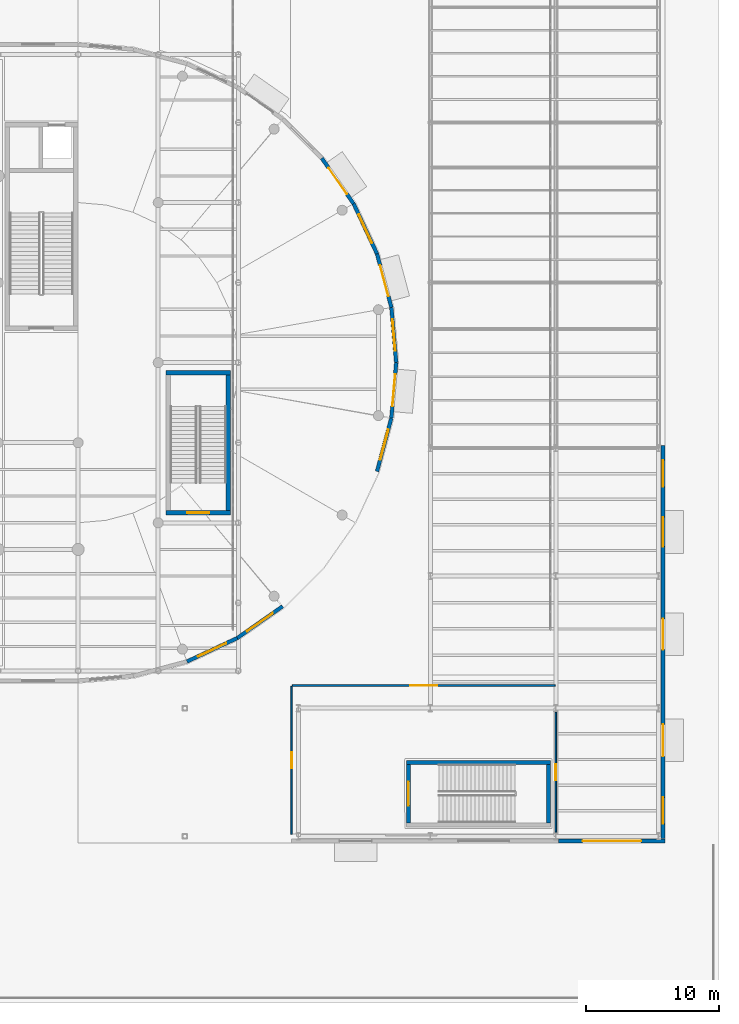
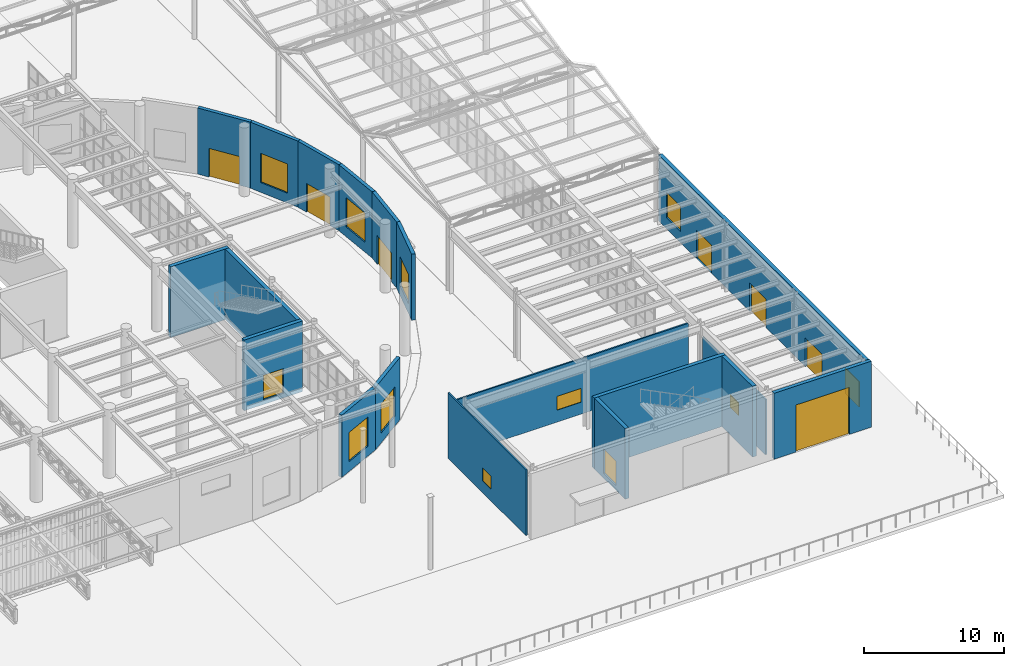
# One storey, part 95 of 118: 19 walls, 10 windows, 9 doors, 19 openings.
"""IFC4 building model written with IfcOpenShell, lengths in metres."""

from ifc_helpers import new_model, si_unit, direction, frame, frame_2d, origin, place, context, subcontext, project, spatial, rectangle, extrude, material, layer, layer_set, type_object, element, fill, save


model = new_model("IFC4")

# Units and contexts
model_context = context("Model", 3, precision=1e-05, world=origin(), true_north=direction((0.0, 1.0)))
body_context = subcontext(model_context, "Body", "Model", "MODEL_VIEW")
ifc_project = project(units=[si_unit("LENGTHUNIT", "METRE"), si_unit("AREAUNIT", "SQUARE_METRE"), si_unit("VOLUMEUNIT", "CUBIC_METRE"), si_unit("PLANEANGLEUNIT", "RADIAN"), si_unit("MASSUNIT", "GRAM", prefix="KILO")], contexts=[model_context])

# Site, building, storey
site_placement = place(None, origin())
site = spatial("IfcSite", under=ifc_project, at=site_placement, CompositionType="ELEMENT")
building_placement = place(site_placement, origin())
building = spatial("IfcBuilding", under=site, at=building_placement, Name="Kolvaren Corner Interchange", CompositionType="ELEMENT")
storey_placement = place(building_placement, origin())
storey = spatial("IfcBuildingStorey", under=building, at=storey_placement, Name="L01", CompositionType="ELEMENT", Elevation=0.0)

# Wall, opening, door
ifc_material_1 = material(Name="Concrete C35/45", Category="concrete")
ifc_layer_1 = layer(ifc_material_1, 0.31005859375)
ifc_layer_set_1 = layer_set([ifc_layer_1], Name="Concrete C35/45")
wall_type_1 = type_object("IfcWallType", Name="WL-STAIR-300", PredefinedType="SHEAR", material=ifc_layer_set_1)
wall_1_placement = place(storey_placement, frame((126.60009765625, 36.7548828125, -0.39990234375), z_axis=(0.0, 0.0, 1.0), x_axis=(1.0, 0.0, 0.0)))
wall_1 = element("IfcWall", 1, at=wall_1_placement, inside=storey, type_object=wall_type_1, Name="East Racetrack Concourse Gallery Stair L01 South Enclosure Wall", PredefinedType="SHEAR", context=body_context, shape_type="SweptSolid", body=[
    extrude(rectangle(XDim=4.7998046875, YDim=0.31005859375, at=frame_2d((2.39990234375, 0.0))), origin(), (0.0, 0.0, 1.0), 6.14990234375),
])
opening_1_placement = place(wall_1_placement, frame((1.574951171875, 0.0, 0.39990234375)))
opening_1 = element("IfcOpeningElement", 2, at=opening_1_placement, cuts=wall_1, Name="Opening D-F06", PredefinedType="OPENING", context=body_context, shape_type="SweptSolid", body=[
    extrude(rectangle(XDim=1.64990234375, YDim=2.14990234375, at=frame_2d((0.824951171875, 1.074951171875))), frame((0.0, 0.1650390625, 0.0), z_axis=(0.0, -1.0, 0.0), x_axis=(1.0, 0.0, 0.0)), (0.0, 0.0, 1.0), 0.330078125),
])
ifc_material_2 = material(Name="Powder-coated Fire-rated Steel Sheet", Category="steel")
door_type_1 = type_object("IfcDoorType", Name="DT-FD-1650x2150", OperationType="NOTDEFINED", PredefinedType="DOOR", material=ifc_material_2)
door_1_placement = place(opening_1_placement, origin())
door_1 = element("IfcDoor", 3, at=door_1_placement, inside=storey, type_object=door_type_1, Name="East Racetrack Concourse Gallery Stair L01 Protected Exit Door", OperationType="DOUBLE_DOOR_SINGLE_SWING", OverallHeight=2.14990234375, OverallWidth=1.64990234375, PredefinedType="DOOR", context=body_context, shape_type="SweptSolid", body=[
    extrude(rectangle(XDim=1.64990234375, YDim=2.14990234375, at=frame_2d((0.824951171875, 1.074951171875))), frame((0.0, 0.02490234375, 0.0), z_axis=(0.0, -1.0, 0.0), x_axis=(1.0, 0.0, 0.0)), (0.0, 0.0, 1.0), 0.050048828125),
])
fill(opening_1, door_1)

# Walls
wall_2_placement = place(storey_placement, frame((126.60009765625, 47.2451171875, -0.39990234375), z_axis=(0.0, 0.0, 1.0), x_axis=(1.0, 0.0, 0.0)))
element("IfcWall", 4, at=wall_2_placement, inside=storey, type_object=wall_type_1, Name="East Racetrack Concourse Gallery Stair L01 North Enclosure Wall", PredefinedType="SHEAR", context=body_context, shape_type="SweptSolid", body=[
    extrude(rectangle(XDim=4.7998046875, YDim=0.31005859375, at=frame_2d((2.39990234375, 0.0))), origin(), (0.0, 0.0, 1.0), 6.14990234375),
])
wall_3_placement = place(storey_placement, frame((131.2451171875, 36.909912109375, -0.39990234375), z_axis=(0.0, 0.0, 1.0), x_axis=(0.0, 1.0, 0.0)))
element("IfcWall", 5, at=wall_3_placement, inside=storey, type_object=wall_type_1, Name="East Racetrack Concourse Gallery Stair L01 East Enclosure Wall", PredefinedType="SHEAR", context=body_context, shape_type="SweptSolid", body=[
    extrude(rectangle(XDim=10.18017578125, YDim=0.31005859375, at=frame_2d((5.090087890625, 0.0))), origin(), (0.0, 0.0, 1.0), 6.14990234375),
])
wall_4_placement = place(storey_placement, frame((144.60009765625, 18.044921875, -0.39990234375), z_axis=(0.0, 0.0, 1.0), x_axis=(1.0, 0.0, 0.0)))
element("IfcWall", 6, at=wall_4_placement, inside=storey, type_object=wall_type_1, Name="Bus Dispatch Lounge Exit Stair L01 North Enclosure Wall", PredefinedType="SHEAR", context=body_context, shape_type="SweptSolid", body=[
    extrude(rectangle(XDim=10.7998046875, YDim=0.31005859375, at=frame_2d((5.39990234375, 0.0))), origin(), (0.0, 0.0, 1.0), 6.14990234375),
])

# Wall, opening, door
wall_5_placement = place(storey_placement, frame((144.7548828125, 13.510009765625, -0.39990234375), z_axis=(0.0, 0.0, 1.0), x_axis=(0.0, 1.0, 0.0)))
wall_5 = element("IfcWall", 7, at=wall_5_placement, inside=storey, type_object=wall_type_1, Name="Bus Dispatch Lounge Exit Stair L01 West Enclosure Wall", PredefinedType="SHEAR", context=body_context, shape_type="SweptSolid", body=[
    extrude(rectangle(XDim=4.3798828125, YDim=0.31005859375, at=frame_2d((2.18994140625, 0.0))), origin(), (0.0, 0.0, 1.0), 6.14990234375),
])
opening_2_placement = place(wall_5_placement, frame((1.2900390625, 0.0, 0.39990234375)))
opening_2 = element("IfcOpeningElement", 8, at=opening_2_placement, cuts=wall_5, Name="Opening D-F01", PredefinedType="OPENING", context=body_context, shape_type="SweptSolid", body=[
    extrude(rectangle(XDim=1.800048828125, YDim=2.14990234375, at=frame_2d((0.89990234375, 1.074951171875))), frame((0.0, 0.1650390625, 0.0), z_axis=(0.0, -1.0, 0.0), x_axis=(1.0, 0.0, 0.0)), (0.0, 0.0, 1.0), 0.330078125),
])
ifc_material_3 = material(Name="Powder-coated Fire-rated Steel Sheet", Category="steel")
door_type_2 = type_object("IfcDoorType", Name="DT-FD-1800x2150", OperationType="NOTDEFINED", PredefinedType="DOOR", material=ifc_material_3)
door_2_placement = place(opening_2_placement, origin())
door_2 = element("IfcDoor", 9, at=door_2_placement, inside=storey, type_object=door_type_2, Name="Bus Dispatch Lounge Exit Stair L01 Protected Exit Door", OperationType="DOUBLE_DOOR_SINGLE_SWING", OverallHeight=2.14990234375, OverallWidth=1.800048828125, PredefinedType="DOOR", context=body_context, shape_type="SweptSolid", body=[
    extrude(rectangle(XDim=1.800048828125, YDim=2.14990234375, at=frame_2d((0.89990234375, 1.074951171875))), frame((0.0, 0.02490234375, 0.0), z_axis=(0.0, -1.0, 0.0), x_axis=(1.0, 0.0, 0.0)), (0.0, 0.0, 1.0), 0.050048828125),
])
fill(opening_2, door_2)

# Wall
wall_6_placement = place(storey_placement, frame((155.2451171875, 13.510009765625, -0.39990234375), z_axis=(0.0, 0.0, 1.0), x_axis=(0.0, 1.0, 0.0)))
element("IfcWall", 10, at=wall_6_placement, inside=storey, type_object=wall_type_1, Name="Bus Dispatch Lounge Exit Stair L01 East Enclosure Wall", PredefinedType="SHEAR", context=body_context, shape_type="SweptSolid", body=[
    extrude(rectangle(XDim=4.3798828125, YDim=0.31005859375, at=frame_2d((2.18994140625, 0.0))), origin(), (0.0, 0.0, 1.0), 6.14990234375),
])

# Wall, opening, door
ifc_material_4 = material(Name="Ochre Architectural Terracotta Rainscreen Assembly", Category="masonry")
ifc_layer_2 = layer(ifc_material_4, 0.300048828125)
ifc_layer_set_2 = layer_set([ifc_layer_2], Name="Ochre Architectural Terracotta Rainscreen Assembly")
wall_type_2 = type_object("IfcWallType", Name="WT-EXT-OCH300", PredefinedType="SOLIDWALL", material=ifc_layer_set_2)
wall_7_placement = place(storey_placement, frame((156.0, 12.159912109375, 0.0), z_axis=(0.0, 0.0, 1.0), x_axis=(1.0, 0.0, 0.0)))
wall_7 = element("IfcWall", 11, at=wall_7_placement, inside=storey, type_object=wall_type_2, Name="Bus Loop South Portal Wall Wall 0191", PredefinedType="SOLIDWALL", context=body_context, shape_type="SweptSolid", body=[
    extrude(rectangle(XDim=8.0, YDim=0.300048828125, at=frame_2d((4.0, 0.0))), origin(), (0.0, 0.0, 1.0), 5.739990234375),
])
opening_3_placement = place(wall_7_placement, frame((1.800048828125, 0.0, 0.0)))
opening_3 = element("IfcOpeningElement", 12, at=opening_3_placement, cuts=wall_7, Name="Opening D-G01", PredefinedType="OPENING", context=body_context, shape_type="SweptSolid", body=[
    extrude(rectangle(XDim=4.39990234375, YDim=4.10009765625, at=frame_2d((2.199951171875, 2.050048828125))), frame((0.0, 0.159912109375, 0.0), z_axis=(0.0, -1.0, 0.0), x_axis=(1.0, 0.0, 0.0)), (0.0, 0.0, 1.0), 0.320068359375),
])
ifc_material_5 = material(Name="Galvanised Roller-Shutter Steel Lath", Category="steel")
door_type_3 = type_object("IfcDoorType", Name="DT-GATE-4400", OperationType="NOTDEFINED", PredefinedType="GATE", material=ifc_material_5)
door_3_placement = place(opening_3_placement, origin())
door_3 = element("IfcDoor", 13, at=door_3_placement, inside=storey, type_object=door_type_3, Name="L01 Bus Loop South Entry Portal Door 036", OperationType="ROLLINGUP", OverallHeight=4.10009765625, OverallWidth=4.39990234375, PredefinedType="GATE", context=body_context, shape_type="SweptSolid", body=[
    extrude(rectangle(XDim=4.39990234375, YDim=4.10009765625, at=frame_2d((2.199951171875, 2.050048828125))), frame((0.0, 0.02490234375, 0.0), z_axis=(0.0, -1.0, 0.0), x_axis=(1.0, 0.0, 0.0)), (0.0, 0.0, 1.0), 0.050048828125),
])
fill(opening_3, door_3)

# Wall, openings, doors, windows
wall_8_placement = place(storey_placement, frame((163.840087890625, 12.320068359375, 0.0), z_axis=(0.0, 0.0, 1.0), x_axis=(0.0, 1.0, 0.0)))
wall_8 = element("IfcWall", 14, at=wall_8_placement, inside=storey, type_object=wall_type_2, Name="Bus Dispatch East Apron Wall Wall 0192", PredefinedType="SOLIDWALL", context=body_context, shape_type="SweptSolid", body=[
    extrude(rectangle(XDim=29.47998046875, YDim=0.300048828125, at=frame_2d((14.739990234375, 0.0))), origin(), (0.0, 0.0, 1.0), 5.739990234375),
])
opening_4_placement = place(wall_8_placement, frame((6.169921875, 0.0, 0.0)))
opening_4 = element("IfcOpeningElement", 15, at=opening_4_placement, cuts=wall_8, Name="Opening D-E01", PredefinedType="OPENING", context=body_context, shape_type="SweptSolid", body=[
    extrude(rectangle(XDim=2.39990234375, YDim=2.5, at=frame_2d((1.199951171875, 1.25))), frame((0.0, 0.159912109375, 0.0), z_axis=(0.0, -1.0, 0.0), x_axis=(1.0, 0.0, 0.0)), (0.0, 0.0, 1.0), 0.320068359375),
])
opening_5_placement = place(wall_8_placement, frame((14.1796875, 0.0, 0.0)))
opening_5 = element("IfcOpeningElement", 16, at=opening_5_placement, cuts=wall_8, Name="Opening D-E11", PredefinedType="OPENING", context=body_context, shape_type="SweptSolid", body=[
    extrude(rectangle(XDim=2.300048828125, YDim=2.47998046875, at=frame_2d((1.14990234375, 1.239990234375))), frame((0.0, 0.159912109375, 0.0), z_axis=(0.0, -1.0, 0.0), x_axis=(1.0, 0.0, 0.0)), (0.0, 0.0, 1.0), 0.320068359375),
])
opening_6_placement = place(wall_8_placement, frame((21.894287109375, 0.0, 0.0)))
opening_6 = element("IfcOpeningElement", 17, at=opening_6_placement, cuts=wall_8, Name="Opening D-E08", PredefinedType="OPENING", context=body_context, shape_type="SweptSolid", body=[
    extrude(rectangle(XDim=2.199951171875, YDim=2.449951171875, at=frame_2d((1.10009765625, 1.22509765625))), frame((0.0, 0.159912109375, 0.0), z_axis=(0.0, -1.0, 0.0), x_axis=(1.0, 0.0, 0.0)), (0.0, 0.0, 1.0), 0.320068359375),
])
opening_7_placement = place(wall_8_placement, frame((1.105712890625, 0.0, 0.949951171875)))
opening_7 = element("IfcOpeningElement", 18, at=opening_7_placement, cuts=wall_8, Name="Opening W-06", PredefinedType="OPENING", context=body_context, shape_type="SweptSolid", body=[
    extrude(rectangle(XDim=2.0, YDim=2.199951171875, at=frame_2d((1.0, 1.10009765625))), frame((0.0, 0.159912109375, 0.0), z_axis=(0.0, -1.0, 0.0), x_axis=(1.0, 0.0, 0.0)), (0.0, 0.0, 1.0), 0.320068359375),
])
opening_8_placement = place(wall_8_placement, frame((26.374267578125, 0.0, 0.949951171875)))
opening_8 = element("IfcOpeningElement", 19, at=opening_8_placement, cuts=wall_8, Name="Opening W-06", PredefinedType="OPENING", context=body_context, shape_type="SweptSolid", body=[
    extrude(rectangle(XDim=2.0, YDim=2.199951171875, at=frame_2d((1.0, 1.10009765625))), frame((0.0, 0.159912109375, 0.0), z_axis=(0.0, -1.0, 0.0), x_axis=(1.0, 0.0, 0.0)), (0.0, 0.0, 1.0), 0.320068359375),
])
ifc_material_6 = material(Name="Anodised Aluminium and Laminated Safety Glass", Category="aluminium")
door_type_4 = type_object("IfcDoorType", Name="DT-EXT-DBL2200", OperationType="NOTDEFINED", PredefinedType="DOOR", material=ifc_material_6)
door_4_placement = place(opening_6_placement, origin())
door_4 = element("IfcDoor", 20, at=door_4_placement, inside=storey, type_object=door_type_4, Name="L01 Bus Lounge Ground Exit Door 039", OperationType="DOUBLE_DOOR_SINGLE_SWING", OverallHeight=2.449951171875, OverallWidth=2.199951171875, PredefinedType="DOOR", context=body_context, shape_type="SweptSolid", body=[
    extrude(rectangle(XDim=2.199951171875, YDim=2.449951171875, at=frame_2d((1.10009765625, 1.22509765625))), frame((0.0, 0.02490234375, 0.0), z_axis=(0.0, -1.0, 0.0), x_axis=(1.0, 0.0, 0.0)), (0.0, 0.0, 1.0), 0.050048828125),
])
fill(opening_6, door_4)
ifc_material_7 = material(Name="Anodised Aluminium and Laminated Safety Glass", Category="aluminium")
door_type_5 = type_object("IfcDoorType", Name="DT-EXT-DBL2300", OperationType="NOTDEFINED", PredefinedType="DOOR", material=ifc_material_7)
door_5_placement = place(opening_5_placement, origin())
door_5 = element("IfcDoor", 21, at=door_5_placement, inside=storey, type_object=door_type_5, Name="L01 Bus Apron Mid East Exit Door 038", OperationType="DOUBLE_DOOR_SINGLE_SWING", OverallHeight=2.47998046875, OverallWidth=2.300048828125, PredefinedType="DOOR", context=body_context, shape_type="SweptSolid", body=[
    extrude(rectangle(XDim=2.300048828125, YDim=2.47998046875, at=frame_2d((1.14990234375, 1.239990234375))), frame((0.0, 0.02490234375, 0.0), z_axis=(0.0, -1.0, 0.0), x_axis=(1.0, 0.0, 0.0)), (0.0, 0.0, 1.0), 0.050048828125),
])
fill(opening_5, door_5)
ifc_material_8 = material(Name="Anodised Aluminium and Laminated Safety Glass", Category="aluminium")
door_type_6 = type_object("IfcDoorType", Name="DT-EXT-DBL2400", OperationType="NOTDEFINED", PredefinedType="DOOR", material=ifc_material_8)
door_6_placement = place(opening_4_placement, origin())
door_6 = element("IfcDoor", 22, at=door_6_placement, inside=storey, type_object=door_type_6, Name="L01 Bus Apron South East Exit Door 037", OperationType="DOUBLE_DOOR_SINGLE_SWING", OverallHeight=2.5, OverallWidth=2.39990234375, PredefinedType="DOOR", context=body_context, shape_type="SweptSolid", body=[
    extrude(rectangle(XDim=2.39990234375, YDim=2.5, at=frame_2d((1.199951171875, 1.25))), frame((0.0, 0.02490234375, 0.0), z_axis=(0.0, -1.0, 0.0), x_axis=(1.0, 0.0, 0.0)), (0.0, 0.0, 1.0), 0.050048828125),
])
fill(opening_4, door_6)
ifc_material_9 = material(Name="Thermally Broken Aluminium and Solar-Control Double Glazing", Category="aluminium")
window_type_1 = type_object("IfcWindowType", Name="WT-CYC-2000x2200", PartitioningType="DOUBLE_PANEL_HORIZONTAL", PredefinedType="WINDOW", material=ifc_material_9)
window_1_placement = place(opening_7_placement, origin())
window_1 = element("IfcWindow", 23, at=window_1_placement, inside=storey, type_object=window_type_1, Name="L01 Bus Dispatch East Apron Wall Window 0304", OverallHeight=2.199951171875, OverallWidth=2.0, PartitioningType="SINGLE_PANEL", PredefinedType="WINDOW", context=body_context, shape_type="SweptSolid", body=[
    extrude(rectangle(XDim=2.0, YDim=2.199951171875, at=frame_2d((1.0, 1.10009765625))), frame((0.0, 0.030029296875, 0.0), z_axis=(0.0, -1.0, 0.0), x_axis=(1.0, 0.0, 0.0)), (0.0, 0.0, 1.0), 0.06005859375),
])
fill(opening_7, window_1)
window_2_placement = place(opening_8_placement, origin())
window_2 = element("IfcWindow", 24, at=window_2_placement, inside=storey, type_object=window_type_1, Name="L01 Bus Dispatch East Apron Wall Window 0305", OverallHeight=2.199951171875, OverallWidth=2.0, PartitioningType="SINGLE_PANEL", PredefinedType="WINDOW", context=body_context, shape_type="SweptSolid", body=[
    extrude(rectangle(XDim=2.0, YDim=2.199951171875, at=frame_2d((1.0, 1.10009765625))), frame((0.0, 0.030029296875, 0.0), z_axis=(0.0, -1.0, 0.0), x_axis=(1.0, 0.0, 0.0)), (0.0, 0.0, 1.0), 0.06005859375),
])
fill(opening_8, window_2)

# Wall, opening, window
ifc_material_10 = material(Name="White Glazed Ceramic Terracotta Band Assembly", Category="masonry")
ifc_layer_3 = layer(ifc_material_10, 0.280029296875)
ifc_layer_set_3 = layer_set([ifc_layer_3], Name="White Glazed Ceramic Terracotta Band Assembly")
wall_type_3 = type_object("IfcWallType", Name="WT-EXT-WHT280", PredefinedType="SOLIDWALL", material=ifc_layer_set_3)
wall_9_placement = place(storey_placement, frame((128.15380859375, 25.59765625, 0.0), z_axis=(0.0, 0.0, 1.0), x_axis=(0.906291177731, 0.422653878685, 0.0)))
wall_9 = element("IfcWall", 25, at=wall_9_placement, inside=storey, type_object=wall_type_3, Name="Racetrack East Curved Drum Chord 03 Wall 0103", PredefinedType="SOLIDWALL", context=body_context, shape_type="SweptSolid", body=[
    extrude(rectangle(XDim=4.155517578125, YDim=0.280029296875, at=frame_2d((2.07763671875, 0.0))), origin(), (0.0, 0.0, 1.0), 5.405029296875),
])
opening_9_placement = place(wall_9_placement, frame((0.90283203125, 0.0, 0.85009765625)))
opening_9 = element("IfcOpeningElement", 26, at=opening_9_placement, cuts=wall_9, Name="Opening W-15", PredefinedType="OPENING", context=body_context, shape_type="SweptSolid", body=[
    extrude(rectangle(XDim=2.35009765625, YDim=2.550048828125, at=frame_2d((1.175048828125, 1.27490234375))), frame((0.0, 0.14990234375, 0.0), z_axis=(0.0, -1.0, 0.0), x_axis=(1.0, 0.0, 0.0)), (0.0, 0.0, 1.0), 0.300048828125),
])
ifc_material_11 = material(Name="Thermally Broken Aluminium and Solar-Control Double Glazing", Category="aluminium")
window_type_2 = type_object("IfcWindowType", Name="WT-ARC-2350x2550", PartitioningType="TRIPLE_PANEL_HORIZONTAL", PredefinedType="WINDOW", material=ifc_material_11)
window_3_placement = place(opening_9_placement, origin())
window_3 = element("IfcWindow", 27, at=window_3_placement, inside=storey, type_object=window_type_2, Name="L01 Racetrack East Curved Drum Chord 03 Window 0176", OverallHeight=2.550048828125, OverallWidth=2.35009765625, PartitioningType="SINGLE_PANEL", PredefinedType="WINDOW", context=body_context, shape_type="SweptSolid", body=[
    extrude(rectangle(XDim=2.35009765625, YDim=2.550048828125, at=frame_2d((1.175048828125, 1.27490234375))), frame((0.0, 0.030029296875, 0.0), z_axis=(0.0, -1.0, 0.0), x_axis=(1.0, 0.0, 0.0)), (0.0, 0.0, 1.0), 0.06005859375),
])
fill(opening_9, window_3)

wall_10_placement = place(storey_placement, frame((131.919921875, 27.35400390625, 0.0), z_axis=(0.0, 0.0, 1.0), x_axis=(0.819171197327, 0.573549082007, 0.0)))
wall_10 = element("IfcWall", 28, at=wall_10_placement, inside=storey, type_object=wall_type_3, Name="Racetrack East Curved Drum Chord 04 Wall 0104", PredefinedType="SOLIDWALL", context=body_context, shape_type="SweptSolid", body=[
    extrude(rectangle(XDim=4.15576171875, YDim=0.280029296875, at=frame_2d((2.077880859375, 0.0))), origin(), (0.0, 0.0, 1.0), 5.425048828125),
])
opening_10_placement = place(wall_10_placement, frame((0.90283203125, 0.0, 0.85009765625)))
opening_10 = element("IfcOpeningElement", 29, at=opening_10_placement, cuts=wall_10, Name="Opening W-15", PredefinedType="OPENING", context=body_context, shape_type="SweptSolid", body=[
    extrude(rectangle(XDim=2.35009765625, YDim=2.550048828125, at=frame_2d((1.175048828125, 1.27490234375))), frame((0.0, 0.14990234375, 0.0), z_axis=(0.0, -1.0, 0.0), x_axis=(1.0, 0.0, 0.0)), (0.0, 0.0, 1.0), 0.300048828125),
])
window_4_placement = place(opening_10_placement, origin())
window_4 = element("IfcWindow", 30, at=window_4_placement, inside=storey, type_object=window_type_2, Name="L01 Racetrack East Curved Drum Chord 04 Window 0177", OverallHeight=2.550048828125, OverallWidth=2.35009765625, PartitioningType="SINGLE_PANEL", PredefinedType="WINDOW", context=body_context, shape_type="SweptSolid", body=[
    extrude(rectangle(XDim=2.35009765625, YDim=2.550048828125, at=frame_2d((1.175048828125, 1.27490234375))), frame((0.0, 0.030029296875, 0.0), z_axis=(0.0, -1.0, 0.0), x_axis=(1.0, 0.0, 0.0)), (0.0, 0.0, 1.0), 0.06005859375),
])
fill(opening_10, window_4)

wall_11_placement = place(storey_placement, frame((142.40234375, 39.84619140625, 0.0), z_axis=(0.0, 0.0, 1.0), x_axis=(0.258799713026, 0.965931006096, 0.0)))
wall_11 = element("IfcWall", 31, at=wall_11_placement, inside=storey, type_object=wall_type_3, Name="Racetrack East Curved Drum Chord 08 Wall 0105", PredefinedType="SOLIDWALL", context=body_context, shape_type="SweptSolid", body=[
    extrude(rectangle(XDim=4.155517578125, YDim=0.280029296875, at=frame_2d((2.07763671875, 0.0))), origin(), (0.0, 0.0, 1.0), 5.75),
])
opening_11_placement = place(wall_11_placement, frame((0.90283203125, 0.0, 0.85009765625)))
opening_11 = element("IfcOpeningElement", 32, at=opening_11_placement, cuts=wall_11, Name="Opening W-15", PredefinedType="OPENING", context=body_context, shape_type="SweptSolid", body=[
    extrude(rectangle(XDim=2.35009765625, YDim=2.550048828125, at=frame_2d((1.175048828125, 1.27490234375))), frame((0.0, 0.14990234375, 0.0), z_axis=(0.0, -1.0, 0.0), x_axis=(1.0, 0.0, 0.0)), (0.0, 0.0, 1.0), 0.300048828125),
])
window_5_placement = place(opening_11_placement, origin())
window_5 = element("IfcWindow", 33, at=window_5_placement, inside=storey, type_object=window_type_2, Name="L01 Racetrack East Curved Drum Chord 08 Window 0178", OverallHeight=2.550048828125, OverallWidth=2.35009765625, PartitioningType="SINGLE_PANEL", PredefinedType="WINDOW", context=body_context, shape_type="SweptSolid", body=[
    extrude(rectangle(XDim=2.35009765625, YDim=2.550048828125, at=frame_2d((1.175048828125, 1.27490234375))), frame((0.0, 0.030029296875, 0.0), z_axis=(0.0, -1.0, 0.0), x_axis=(1.0, 0.0, 0.0)), (0.0, 0.0, 1.0), 0.06005859375),
])
fill(opening_11, window_5)

# Wall, opening, door
wall_12_placement = place(storey_placement, frame((143.477783203125, 43.860107421875, 0.0), z_axis=(0.0, 0.0, 1.0), x_axis=(0.087182254487, 0.99619237826, 0.0)))
wall_12 = element("IfcWall", 34, at=wall_12_placement, inside=storey, type_object=wall_type_3, Name="Racetrack East Curved Drum Chord 09 Wall 0106", PredefinedType="SOLIDWALL", context=body_context, shape_type="SweptSolid", body=[
    extrude(rectangle(XDim=4.15576171875, YDim=0.280029296875, at=frame_2d((2.077880859375, 0.0))), origin(), (0.0, 0.0, 1.0), 5.75),
])
opening_12_placement = place(wall_12_placement, frame((0.877685546875, 0.0, 0.0)))
opening_12 = element("IfcOpeningElement", 35, at=opening_12_placement, cuts=wall_12, Name="Opening D-E01", PredefinedType="OPENING", context=body_context, shape_type="SweptSolid", body=[
    extrude(rectangle(XDim=2.39990234375, YDim=2.5, at=frame_2d((1.199951171875, 1.25))), frame((0.0, 0.14990234375, 0.0), z_axis=(0.0, -1.0, 0.0), x_axis=(1.0, 0.0, 0.0)), (0.0, 0.0, 1.0), 0.300048828125),
])
door_7_placement = place(opening_12_placement, origin())
door_7 = element("IfcDoor", 36, at=door_7_placement, inside=storey, type_object=door_type_6, Name="L01 East Racetrack Bus Transfer Exit Door 014", OperationType="DOUBLE_DOOR_SINGLE_SWING", OverallHeight=2.5, OverallWidth=2.39990234375, PredefinedType="DOOR", context=body_context, shape_type="SweptSolid", body=[
    extrude(rectangle(XDim=2.39990234375, YDim=2.5, at=frame_2d((1.199951171875, 1.25))), frame((0.0, 0.02490234375, 0.0), z_axis=(0.0, -1.0, 0.0), x_axis=(1.0, 0.0, 0.0)), (0.0, 0.0, 1.0), 0.050048828125),
])
fill(opening_12, door_7)

# Wall, opening, window
wall_13_placement = place(storey_placement, frame((143.840087890625, 48.0, 0.0), z_axis=(0.0, 0.0, 1.0), x_axis=(-0.087182254487, 0.99619237826, 0.0)))
wall_13 = element("IfcWall", 37, at=wall_13_placement, inside=storey, type_object=wall_type_3, Name="Racetrack East Curved Drum Chord 10 Wall 0107", PredefinedType="SOLIDWALL", context=body_context, shape_type="SweptSolid", body=[
    extrude(rectangle(XDim=4.15576171875, YDim=0.280029296875, at=frame_2d((2.077880859375, 0.0))), origin(), (0.0, 0.0, 1.0), 5.75),
])
opening_13_placement = place(wall_13_placement, frame((0.90283203125, 0.0, 0.85009765625)))
opening_13 = element("IfcOpeningElement", 38, at=opening_13_placement, cuts=wall_13, Name="Opening W-15", PredefinedType="OPENING", context=body_context, shape_type="SweptSolid", body=[
    extrude(rectangle(XDim=2.35009765625, YDim=2.550048828125, at=frame_2d((1.175048828125, 1.27490234375))), frame((0.0, 0.14990234375, 0.0), z_axis=(0.0, -1.0, 0.0), x_axis=(1.0, 0.0, 0.0)), (0.0, 0.0, 1.0), 0.300048828125),
])
window_6_placement = place(opening_13_placement, origin())
window_6 = element("IfcWindow", 39, at=window_6_placement, inside=storey, type_object=window_type_2, Name="L01 Racetrack East Curved Drum Chord 10 Window 0179", OverallHeight=2.550048828125, OverallWidth=2.35009765625, PartitioningType="SINGLE_PANEL", PredefinedType="WINDOW", context=body_context, shape_type="SweptSolid", body=[
    extrude(rectangle(XDim=2.35009765625, YDim=2.550048828125, at=frame_2d((1.175048828125, 1.27490234375))), frame((0.0, 0.030029296875, 0.0), z_axis=(0.0, -1.0, 0.0), x_axis=(1.0, 0.0, 0.0)), (0.0, 0.0, 1.0), 0.06005859375),
])
fill(opening_13, window_6)

# Wall, opening, door
wall_14_placement = place(storey_placement, frame((143.477783203125, 52.139892578125, 0.0), z_axis=(0.0, 0.0, 1.0), x_axis=(-0.258799713026, 0.965931006096, 0.0)))
wall_14 = element("IfcWall", 40, at=wall_14_placement, inside=storey, type_object=wall_type_3, Name="Racetrack East Curved Drum Chord 11 Wall 0108", PredefinedType="SOLIDWALL", context=body_context, shape_type="SweptSolid", body=[
    extrude(rectangle(XDim=4.155517578125, YDim=0.280029296875, at=frame_2d((2.07763671875, 0.0))), origin(), (0.0, 0.0, 1.0), 5.75),
])
opening_14_placement = place(wall_14_placement, frame((0.877685546875, 0.0, 0.0)))
opening_14 = element("IfcOpeningElement", 41, at=opening_14_placement, cuts=wall_14, Name="Opening D-E01", PredefinedType="OPENING", context=body_context, shape_type="SweptSolid", body=[
    extrude(rectangle(XDim=2.39990234375, YDim=2.5, at=frame_2d((1.199951171875, 1.25))), frame((0.0, 0.14990234375, 0.0), z_axis=(0.0, -1.0, 0.0), x_axis=(1.0, 0.0, 0.0)), (0.0, 0.0, 1.0), 0.300048828125),
])
door_8_placement = place(opening_14_placement, origin())
door_8 = element("IfcDoor", 42, at=door_8_placement, inside=storey, type_object=door_type_6, Name="L01 East Racetrack Bus Transfer Exit Door 015", OperationType="DOUBLE_DOOR_SINGLE_SWING", OverallHeight=2.5, OverallWidth=2.39990234375, PredefinedType="DOOR", context=body_context, shape_type="SweptSolid", body=[
    extrude(rectangle(XDim=2.39990234375, YDim=2.5, at=frame_2d((1.199951171875, 1.25))), frame((0.0, 0.02490234375, 0.0), z_axis=(0.0, -1.0, 0.0), x_axis=(1.0, 0.0, 0.0)), (0.0, 0.0, 1.0), 0.050048828125),
])
fill(opening_14, door_8)

# Wall, opening, window
wall_15_placement = place(storey_placement, frame((142.40234375, 56.15380859375, 0.0), z_axis=(0.0, 0.0, 1.0), x_axis=(-0.422653878685, 0.906291177731, 0.0)))
wall_15 = element("IfcWall", 43, at=wall_15_placement, inside=storey, type_object=wall_type_3, Name="Racetrack East Curved Drum Chord 12 Wall 0109", PredefinedType="SOLIDWALL", context=body_context, shape_type="SweptSolid", body=[
    extrude(rectangle(XDim=4.155517578125, YDim=0.280029296875, at=frame_2d((2.07763671875, 0.0))), origin(), (0.0, 0.0, 1.0), 5.75),
])
opening_15_placement = place(wall_15_placement, frame((0.90283203125, 0.0, 0.85009765625)))
opening_15 = element("IfcOpeningElement", 44, at=opening_15_placement, cuts=wall_15, Name="Opening W-15", PredefinedType="OPENING", context=body_context, shape_type="SweptSolid", body=[
    extrude(rectangle(XDim=2.35009765625, YDim=2.550048828125, at=frame_2d((1.175048828125, 1.27490234375))), frame((0.0, 0.14990234375, 0.0), z_axis=(0.0, -1.0, 0.0), x_axis=(1.0, 0.0, 0.0)), (0.0, 0.0, 1.0), 0.300048828125),
])
window_7_placement = place(opening_15_placement, origin())
window_7 = element("IfcWindow", 45, at=window_7_placement, inside=storey, type_object=window_type_2, Name="L01 Racetrack East Curved Drum Chord 12 Window 0180", OverallHeight=2.550048828125, OverallWidth=2.35009765625, PartitioningType="SINGLE_PANEL", PredefinedType="WINDOW", context=body_context, shape_type="SweptSolid", body=[
    extrude(rectangle(XDim=2.35009765625, YDim=2.550048828125, at=frame_2d((1.175048828125, 1.27490234375))), frame((0.0, 0.030029296875, 0.0), z_axis=(0.0, -1.0, 0.0), x_axis=(1.0, 0.0, 0.0)), (0.0, 0.0, 1.0), 0.06005859375),
])
fill(opening_15, window_7)

# Wall, opening, door
wall_16_placement = place(storey_placement, frame((140.64599609375, 59.919921875, 0.0), z_axis=(0.0, 0.0, 1.0), x_axis=(-0.573549082007, 0.819171197327, 0.0)))
wall_16 = element("IfcWall", 46, at=wall_16_placement, inside=storey, type_object=wall_type_3, Name="Racetrack East Curved Drum Chord 13 Wall 0110", PredefinedType="SOLIDWALL", context=body_context, shape_type="SweptSolid", body=[
    extrude(rectangle(XDim=4.15576171875, YDim=0.280029296875, at=frame_2d((2.077880859375, 0.0))), origin(), (0.0, 0.0, 1.0), 5.75),
])
opening_16_placement = place(wall_16_placement, frame((0.877685546875, 0.0, 0.0)))
opening_16 = element("IfcOpeningElement", 47, at=opening_16_placement, cuts=wall_16, Name="Opening D-E01", PredefinedType="OPENING", context=body_context, shape_type="SweptSolid", body=[
    extrude(rectangle(XDim=2.39990234375, YDim=2.5, at=frame_2d((1.199951171875, 1.25))), frame((0.0, 0.14990234375, 0.0), z_axis=(0.0, -1.0, 0.0), x_axis=(1.0, 0.0, 0.0)), (0.0, 0.0, 1.0), 0.300048828125),
])
door_9_placement = place(opening_16_placement, origin())
door_9 = element("IfcDoor", 48, at=door_9_placement, inside=storey, type_object=door_type_6, Name="L01 East Racetrack Bus Transfer Exit Door 016", OperationType="DOUBLE_DOOR_SINGLE_SWING", OverallHeight=2.5, OverallWidth=2.39990234375, PredefinedType="DOOR", context=body_context, shape_type="SweptSolid", body=[
    extrude(rectangle(XDim=2.39990234375, YDim=2.5, at=frame_2d((1.199951171875, 1.25))), frame((0.0, 0.02490234375, 0.0), z_axis=(0.0, -1.0, 0.0), x_axis=(1.0, 0.0, 0.0)), (0.0, 0.0, 1.0), 0.050048828125),
])
fill(opening_16, door_9)

# Wall, opening, window
ifc_material_12 = material(Name="Standard Metal-Stud Drywall Partition")
ifc_layer_4 = layer(ifc_material_12, 0.1201171875)
ifc_layer_set_4 = layer_set([ifc_layer_4], Name="Standard Metal-Stud Drywall Partition")
wall_type_4 = type_object("IfcWallType", Name="WT-PART-ST125", PredefinedType="PARTITIONING", material=ifc_layer_set_4)
wall_17_placement = place(storey_placement, frame((155.800048828125, 12.81005859375, 0.0), z_axis=(0.0, 0.0, 1.0), x_axis=(0.0, 1.0, 0.0)))
wall_17 = element("IfcWall", 49, at=wall_17_placement, inside=storey, type_object=wall_type_4, Name="L01 Bus Dispatch Entrance Hall Partition Wall 040", PredefinedType="PARTITIONING", context=body_context, shape_type="SweptSolid", body=[
    extrude(rectangle(XDim=8.97998046875, YDim=0.1201171875, at=frame_2d((4.489990234375, 0.0))), origin(), (0.0, 0.0, 1.0), 4.824951171875),
])
opening_17_placement = place(wall_17_placement, frame((3.889892578125, 0.0, 1.050048828125)))
opening_17 = element("IfcOpeningElement", 50, at=opening_17_placement, cuts=wall_17, Name="Opening W-I04", PredefinedType="OPENING", context=body_context, shape_type="SweptSolid", body=[
    extrude(rectangle(XDim=1.199951171875, YDim=1.10009765625, at=frame_2d((0.60009765625, 0.550048828125))), frame((0.0, 0.070068359375, 0.0), z_axis=(0.0, -1.0, 0.0), x_axis=(1.0, 0.0, 0.0)), (0.0, 0.0, 1.0), 0.14013671875),
])
ifc_material_13 = material(Name="Acoustic Partition Vision Panel")
window_type_3 = type_object("IfcWindowType", Name="WT-INT-1200x1100", PartitioningType="SINGLE_PANEL", PredefinedType="WINDOW", material=ifc_material_13)
window_8_placement = place(opening_17_placement, origin())
window_8 = element("IfcWindow", 51, at=window_8_placement, inside=storey, type_object=window_type_3, Name="L01 Interior Vision Glazing 14", OverallHeight=1.10009765625, OverallWidth=1.199951171875, PartitioningType="SINGLE_PANEL", PredefinedType="WINDOW", context=body_context, shape_type="SweptSolid", body=[
    extrude(rectangle(XDim=1.199951171875, YDim=1.10009765625, at=frame_2d((0.60009765625, 0.550048828125))), frame((0.0, 0.030029296875, 0.0), z_axis=(0.0, -1.0, 0.0), x_axis=(1.0, 0.0, 0.0)), (0.0, 0.0, 1.0), 0.06005859375),
])
fill(opening_17, window_8)

wall_18_placement = place(storey_placement, frame((155.75, 23.800048828125, 0.0), z_axis=(0.0, 0.0, 1.0), x_axis=(-1.0, 0.0, 0.0)))
wall_18 = element("IfcWall", 52, at=wall_18_placement, inside=storey, type_object=wall_type_4, Name="L01 Bus Dispatch Entrance Hall Partition Wall 041", PredefinedType="PARTITIONING", context=body_context, shape_type="SweptSolid", body=[
    extrude(rectangle(XDim=19.699951171875, YDim=0.1201171875, at=frame_2d((9.85009765625, 0.0))), origin(), (0.0, 0.0, 1.0), 4.824951171875),
])
opening_18_placement = place(wall_18_placement, frame((8.85009765625, 0.0, 1.050048828125)))
opening_18 = element("IfcOpeningElement", 53, at=opening_18_placement, cuts=wall_18, Name="Opening W-I01", PredefinedType="OPENING", context=body_context, shape_type="SweptSolid", body=[
    extrude(rectangle(XDim=2.0, YDim=1.199951171875, at=frame_2d((1.0, 0.60009765625))), frame((0.0, 0.070068359375, 0.0), z_axis=(0.0, -1.0, 0.0), x_axis=(1.0, 0.0, 0.0)), (0.0, 0.0, 1.0), 0.14013671875),
])
ifc_material_14 = material(Name="Acoustic Laminated Interior Vision Glazing", Category="glass")
window_type_4 = type_object("IfcWindowType", Name="WT-INT-2000x1200", PartitioningType="DOUBLE_PANEL_HORIZONTAL", PredefinedType="WINDOW", material=ifc_material_14)
window_9_placement = place(opening_18_placement, origin())
window_9 = element("IfcWindow", 54, at=window_9_placement, inside=storey, type_object=window_type_4, Name="L01 Interior Vision Glazing 15", OverallHeight=1.199951171875, OverallWidth=2.0, PartitioningType="SINGLE_PANEL", PredefinedType="WINDOW", context=body_context, shape_type="SweptSolid", body=[
    extrude(rectangle(XDim=2.0, YDim=1.199951171875, at=frame_2d((1.0, 0.60009765625))), frame((0.0, 0.030029296875, 0.0), z_axis=(0.0, -1.0, 0.0), x_axis=(1.0, 0.0, 0.0)), (0.0, 0.0, 1.0), 0.06005859375),
])
fill(opening_18, window_9)

wall_19_placement = place(storey_placement, frame((136.0, 23.738037109375, 0.0), z_axis=(0.0, 0.0, 1.0), x_axis=(0.0, -1.0, 0.0)))
wall_19 = element("IfcWall", 55, at=wall_19_placement, inside=storey, type_object=wall_type_4, Name="L01 Bus Dispatch Entrance Hall Partition Wall 042", PredefinedType="PARTITIONING", context=body_context, shape_type="SweptSolid", body=[
    extrude(rectangle(XDim=11.088134765625, YDim=0.1201171875, at=frame_2d((5.5439453125, 0.0))), origin(), (0.0, 0.0, 1.0), 5.719970703125),
])
opening_19_placement = place(wall_19_placement, frame((4.944091796875, 0.0, 1.050048828125)))
opening_19 = element("IfcOpeningElement", 56, at=opening_19_placement, cuts=wall_19, Name="Opening W-I04", PredefinedType="OPENING", context=body_context, shape_type="SweptSolid", body=[
    extrude(rectangle(XDim=1.199951171875, YDim=1.10009765625, at=frame_2d((0.60009765625, 0.550048828125))), frame((0.0, 0.070068359375, 0.0), z_axis=(0.0, -1.0, 0.0), x_axis=(1.0, 0.0, 0.0)), (0.0, 0.0, 1.0), 0.14013671875),
])
window_10_placement = place(opening_19_placement, origin())
window_10 = element("IfcWindow", 57, at=window_10_placement, inside=storey, type_object=window_type_3, Name="L01 Interior Vision Glazing 16", OverallHeight=1.10009765625, OverallWidth=1.199951171875, PartitioningType="SINGLE_PANEL", PredefinedType="WINDOW", context=body_context, shape_type="SweptSolid", body=[
    extrude(rectangle(XDim=1.199951171875, YDim=1.10009765625, at=frame_2d((0.60009765625, 0.550048828125))), frame((0.0, 0.030029296875, 0.0), z_axis=(0.0, -1.0, 0.0), x_axis=(1.0, 0.0, 0.0)), (0.0, 0.0, 1.0), 0.06005859375),
])
fill(opening_19, window_10)

save(model, "model.ifc")
